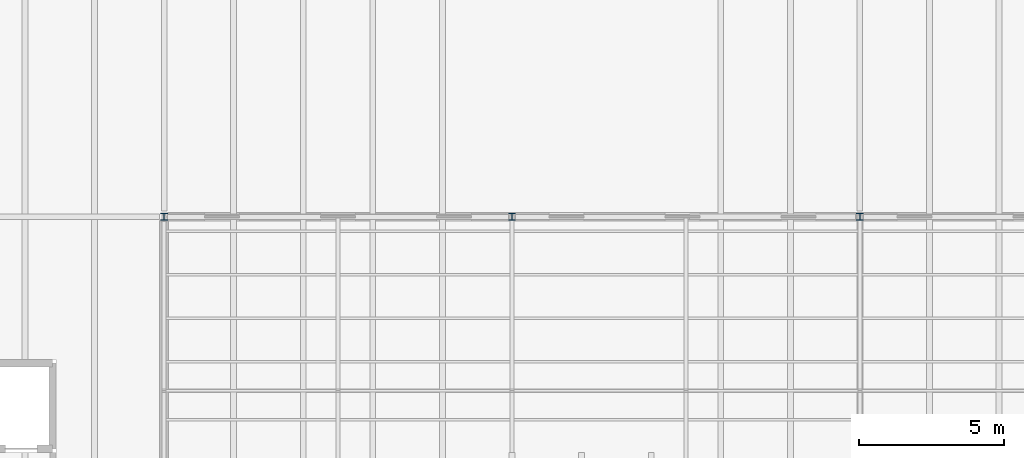
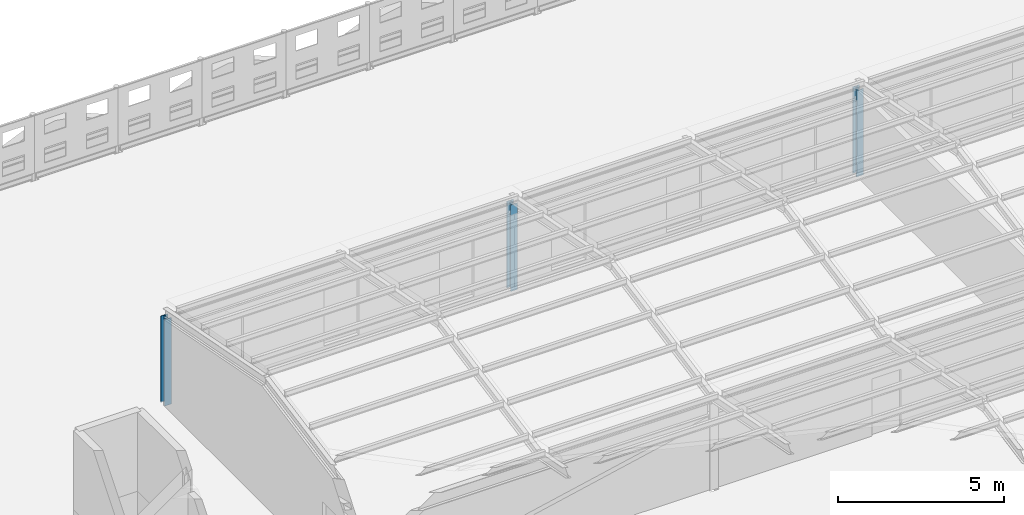
# One storey, part 3 of 91: 3 columns.
"""IFC4 building model written with IfcOpenShell, lengths in metres."""

from ifc_helpers import new_model, si_unit, direction, frame, origin, origin_2d, place, context, subcontext, project, spatial, i_section, extrude, material, material_profile, profile_set, type_object, element, save


model = new_model("IFC4")

# Units and contexts
model_context = context("Model", 3, precision=1e-05, world=origin(), true_north=direction((0.0, 1.0)))
body_context = subcontext(model_context, "Body", "Model", "MODEL_VIEW")
ifc_project = project(units=[si_unit("LENGTHUNIT", "METRE"), si_unit("AREAUNIT", "SQUARE_METRE"), si_unit("VOLUMEUNIT", "CUBIC_METRE"), si_unit("PLANEANGLEUNIT", "RADIAN"), si_unit("MASSUNIT", "GRAM", prefix="KILO")], contexts=[model_context])

# Site, building, storey
site_placement = place(None, origin())
site = spatial("IfcSite", under=ifc_project, at=site_placement, CompositionType="ELEMENT")
building_placement = place(site_placement, origin())
building = spatial("IfcBuilding", under=site, at=building_placement, Name="Ravi Spectrum Wholesale Market", CompositionType="ELEMENT")
storey_placement = place(building_placement, frame((0.0, 0.0, 16.199951171875)))
storey = spatial("IfcBuildingStorey", under=building, at=storey_placement, Name="ROOF PLANT LEVEL", CompositionType="ELEMENT", Elevation=16.199951171875)

# Columns
ifc_material = material(Name="Steel S355", Category="steel")
ifc_material_profile = material_profile(ifc_material, i_section(OverallWidth=0.239990234375, OverallDepth=0.239990234375, WebThickness=0.010009765625, FlangeThickness=0.01708984375, at=origin_2d()))
ifc_profile_set = profile_set([ifc_material_profile], Name="Steel S355")
column_type = type_object("IfcColumnType", Name="HEB 240 column", PredefinedType="COLUMN", material=ifc_profile_set)
for number, where, z_axis, x_axis, name in (
    (1, (210.0, 54.0, 0.0), (0.0, 0.0, 1.0), (1.0, 0.0, 0.0), "CS-COL-ROOF-003"),
    (2, (222.0, 54.0, 0.0), (0.0, 0.0, 1.0), (1.0, 0.0, 0.0), "CS-COL-ROOF-006"),
    (3, (234.0, 54.0, 0.0), (0.0, 0.0, 1.0), (1.0, 0.0, 0.0), "CS-COL-ROOF-009"),
):
    element("IfcColumn", number, at=place(storey_placement, frame(where, z_axis=z_axis, x_axis=x_axis)), inside=storey, type_object=column_type, Name=name, PredefinedType="COLUMN", context=body_context, shape_type="SweptSolid", body=[
        extrude(i_section(OverallWidth=0.239990234375, OverallDepth=0.239990234375, WebThickness=0.010009765625, FlangeThickness=0.01708984375, at=origin_2d()), origin(), (0.0, 0.0, 1.0), 3.172119140625),
    ])

save(model, "model.ifc")
